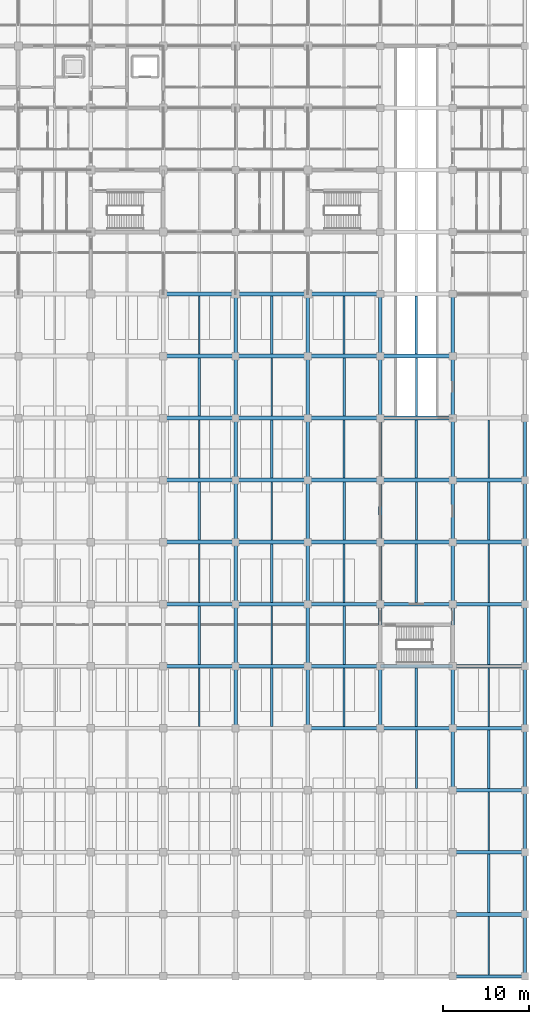
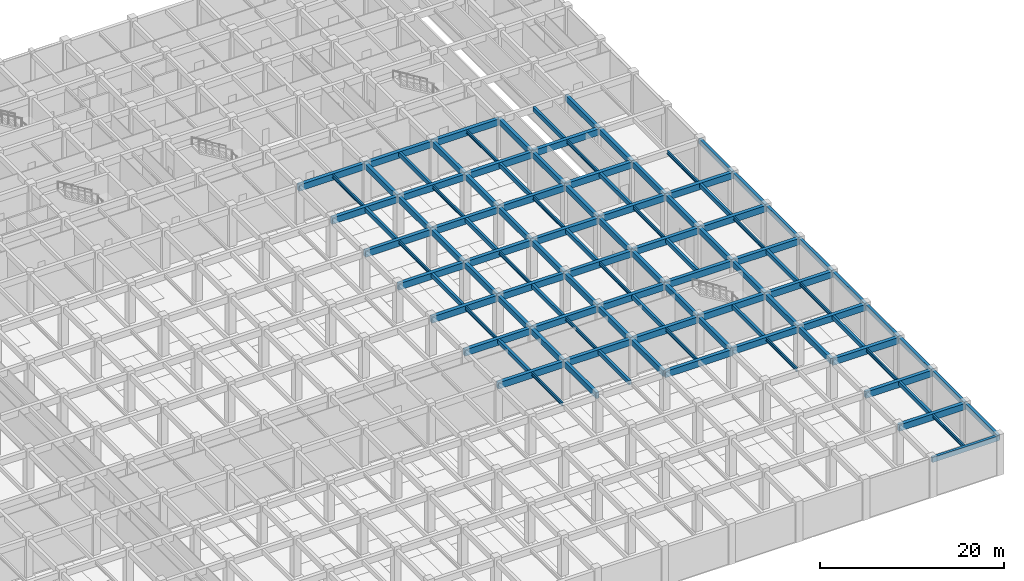
# One storey, part 10 of 48: 113 beams.
"""IFC4 building model written with IfcOpenShell, lengths in metres."""

from ifc_helpers import new_model, si_unit, direction, frame, origin, origin_2d, place, context, subcontext, project, spatial, rectangle, i_section, extrude, material, material_profile, profile_set, type_object, element, save


model = new_model("IFC4")

# Units and contexts
model_context = context("Model", 3, precision=1e-05, world=origin(), true_north=direction((0.0, 1.0)))
body_context = subcontext(model_context, "Body", "Model", "MODEL_VIEW")
ifc_project = project(units=[si_unit("LENGTHUNIT", "METRE"), si_unit("AREAUNIT", "SQUARE_METRE"), si_unit("VOLUMEUNIT", "CUBIC_METRE"), si_unit("PLANEANGLEUNIT", "RADIAN"), si_unit("MASSUNIT", "GRAM", prefix="KILO")], contexts=[model_context])

# Site, building, storey
site_placement = place(None, origin())
site = spatial("IfcSite", under=ifc_project, at=site_placement, CompositionType="ELEMENT")
building_placement = place(site_placement, origin())
building = spatial("IfcBuilding", under=site, at=building_placement, Name="Chengyuan Square Courthouse", CompositionType="ELEMENT")
storey_placement = place(building_placement, frame((0.0, 0.0, -5.39990234375)))
storey = spatial("IfcBuildingStorey", under=building, at=storey_placement, Name="B01", CompositionType="ELEMENT", Elevation=-5.39990234375)

# Beams
ifc_material_1 = material(Name="Concrete C40", Category="concrete")
ifc_material_profile_1 = material_profile(ifc_material_1, rectangle(XDim=0.449951171875, YDim=0.85009765625, at=origin_2d()), Name="RC-BM-450x850")
ifc_profile_set_1 = profile_set([ifc_material_profile_1], Name="Concrete C40")
beam_type_1 = type_object("IfcBeamType", Name="BM-01", PredefinedType="USERDEFINED", material=ifc_profile_set_1)
for number, where, z_axis, x_axis, name in (
    (1, (159.60009765625, 7.199951171875, 4.6748046875), (1.0, 0.0, 0.0), (0.0, 1.0, 0.0), "Girder BM-B01-0711"),
    (2, (159.60009765625, 14.39990234375, 4.6748046875), (1.0, 0.0, 0.0), (0.0, 1.0, 0.0), "Girder BM-B01-0731"),
    (3, (159.60009765625, 21.60009765625, 4.6748046875), (1.0, 0.0, 0.0), (0.0, 1.0, 0.0), "Girder BM-B01-0751"),
    (4, (142.800048828125, 28.800048828125, 4.554931640625), (1.0, 0.0, 0.0), (0.0, 1.0, 0.0), "Girder BM-B01-0769"),
):
    element("IfcBeam", number, at=place(storey_placement, frame(where, z_axis=z_axis, x_axis=x_axis)), inside=storey, type_object=beam_type_1, Name=name, ObjectType="GIRDER", PredefinedType="USERDEFINED", context=body_context, shape_type="SweptSolid", body=[
        extrude(rectangle(XDim=0.449951171875, YDim=0.85009765625, at=origin_2d()), origin(), (0.0, 0.0, 1.0), 8.39990234375),
    ])
beam_1_placement = place(storey_placement, frame((151.199951171875, 28.800048828125, 4.6748046875), z_axis=(1.0, 0.0, 0.0), x_axis=(0.0, 1.0, 0.0)))
element("IfcBeam", 5, at=beam_1_placement, inside=storey, type_object=beam_type_1, Name="Girder BM-B01-0770", ObjectType="GIRDER", PredefinedType="USERDEFINED", context=body_context, shape_type="SweptSolid", body=[
    extrude(rectangle(XDim=0.449951171875, YDim=0.85009765625, at=origin_2d()), origin(), (0.0, 0.0, 1.0), 8.400146484375),
])
for number, where, z_axis, x_axis, name in (
    (6, (159.60009765625, 28.800048828125, 4.6748046875), (1.0, 0.0, 0.0), (0.0, 1.0, 0.0), "Girder BM-B01-0771"),
    (7, (126.0, 36.0, 4.554931640625), (1.0, 0.0, 0.0), (0.0, 1.0, 0.0), "Girder BM-B01-0787"),
):
    element("IfcBeam", number, at=place(storey_placement, frame(where, z_axis=z_axis, x_axis=x_axis)), inside=storey, type_object=beam_type_1, Name=name, ObjectType="GIRDER", PredefinedType="USERDEFINED", context=body_context, shape_type="SweptSolid", body=[
        extrude(rectangle(XDim=0.449951171875, YDim=0.85009765625, at=origin_2d()), origin(), (0.0, 0.0, 1.0), 8.39990234375),
    ])
beam_2_placement = place(storey_placement, frame((134.39990234375, 36.0, 4.554931640625), z_axis=(1.0, 0.0, 0.0), x_axis=(0.0, 1.0, 0.0)))
element("IfcBeam", 8, at=beam_2_placement, inside=storey, type_object=beam_type_1, Name="Girder BM-B01-0788", ObjectType="GIRDER", PredefinedType="USERDEFINED", context=body_context, shape_type="SweptSolid", body=[
    extrude(rectangle(XDim=0.449951171875, YDim=0.85009765625, at=origin_2d()), origin(), (0.0, 0.0, 1.0), 8.400146484375),
])
beam_3_placement = place(storey_placement, frame((142.800048828125, 36.0, 4.554931640625), z_axis=(1.0, 0.0, 0.0), x_axis=(0.0, 1.0, 0.0)))
element("IfcBeam", 9, at=beam_3_placement, inside=storey, type_object=beam_type_1, Name="Girder BM-B01-0789", ObjectType="GIRDER", PredefinedType="USERDEFINED", context=body_context, shape_type="SweptSolid", body=[
    extrude(rectangle(XDim=0.449951171875, YDim=0.85009765625, at=origin_2d()), origin(), (0.0, 0.0, 1.0), 8.39990234375),
])
beam_4_placement = place(storey_placement, frame((151.199951171875, 36.0, 4.6748046875), z_axis=(1.0, 0.0, 0.0), x_axis=(0.0, 1.0, 0.0)))
element("IfcBeam", 10, at=beam_4_placement, inside=storey, type_object=beam_type_1, Name="Girder BM-B01-0790", ObjectType="GIRDER", PredefinedType="USERDEFINED", context=body_context, shape_type="SweptSolid", body=[
    extrude(rectangle(XDim=0.449951171875, YDim=0.85009765625, at=origin_2d()), origin(), (0.0, 0.0, 1.0), 8.400146484375),
])
for number, where, z_axis, x_axis, name in (
    (11, (159.60009765625, 36.0, 4.6748046875), (1.0, 0.0, 0.0), (0.0, 1.0, 0.0), "Girder BM-B01-0791"),
    (12, (126.0, 43.199951171875, 4.554931640625), (1.0, 0.0, 0.0), (0.0, 1.0, 0.0), "Girder BM-B01-0807"),
):
    element("IfcBeam", number, at=place(storey_placement, frame(where, z_axis=z_axis, x_axis=x_axis)), inside=storey, type_object=beam_type_1, Name=name, ObjectType="GIRDER", PredefinedType="USERDEFINED", context=body_context, shape_type="SweptSolid", body=[
        extrude(rectangle(XDim=0.449951171875, YDim=0.85009765625, at=origin_2d()), origin(), (0.0, 0.0, 1.0), 8.39990234375),
    ])
beam_5_placement = place(storey_placement, frame((134.39990234375, 43.199951171875, 4.554931640625), z_axis=(1.0, 0.0, 0.0), x_axis=(0.0, 1.0, 0.0)))
element("IfcBeam", 13, at=beam_5_placement, inside=storey, type_object=beam_type_1, Name="Girder BM-B01-0808", ObjectType="GIRDER", PredefinedType="USERDEFINED", context=body_context, shape_type="SweptSolid", body=[
    extrude(rectangle(XDim=0.449951171875, YDim=0.85009765625, at=origin_2d()), origin(), (0.0, 0.0, 1.0), 8.400146484375),
])
beam_6_placement = place(storey_placement, frame((142.800048828125, 43.199951171875, 4.554931640625), z_axis=(1.0, 0.0, 0.0), x_axis=(0.0, 1.0, 0.0)))
element("IfcBeam", 14, at=beam_6_placement, inside=storey, type_object=beam_type_1, Name="Girder BM-B01-0809", ObjectType="GIRDER", PredefinedType="USERDEFINED", context=body_context, shape_type="SweptSolid", body=[
    extrude(rectangle(XDim=0.449951171875, YDim=0.85009765625, at=origin_2d()), origin(), (0.0, 0.0, 1.0), 8.39990234375),
])
beam_7_placement = place(storey_placement, frame((151.199951171875, 43.199951171875, 4.6748046875), z_axis=(1.0, 0.0, 0.0), x_axis=(0.0, 1.0, 0.0)))
element("IfcBeam", 15, at=beam_7_placement, inside=storey, type_object=beam_type_1, Name="Girder BM-B01-0810", ObjectType="GIRDER", PredefinedType="USERDEFINED", context=body_context, shape_type="SweptSolid", body=[
    extrude(rectangle(XDim=0.449951171875, YDim=0.85009765625, at=origin_2d()), origin(), (0.0, 0.0, 1.0), 8.400146484375),
])
for number, where, z_axis, x_axis, name in (
    (16, (159.60009765625, 43.199951171875, 4.6748046875), (1.0, 0.0, 0.0), (0.0, 1.0, 0.0), "Girder BM-B01-0811"),
    (17, (126.0, 50.39990234375, 4.554931640625), (1.0, 0.0, 0.0), (0.0, 1.0, 0.0), "Girder BM-B01-0827"),
):
    element("IfcBeam", number, at=place(storey_placement, frame(where, z_axis=z_axis, x_axis=x_axis)), inside=storey, type_object=beam_type_1, Name=name, ObjectType="GIRDER", PredefinedType="USERDEFINED", context=body_context, shape_type="SweptSolid", body=[
        extrude(rectangle(XDim=0.449951171875, YDim=0.85009765625, at=origin_2d()), origin(), (0.0, 0.0, 1.0), 8.39990234375),
    ])
beam_8_placement = place(storey_placement, frame((134.39990234375, 50.39990234375, 4.554931640625), z_axis=(1.0, 0.0, 0.0), x_axis=(0.0, 1.0, 0.0)))
element("IfcBeam", 18, at=beam_8_placement, inside=storey, type_object=beam_type_1, Name="Girder BM-B01-0828", ObjectType="GIRDER", PredefinedType="USERDEFINED", context=body_context, shape_type="SweptSolid", body=[
    extrude(rectangle(XDim=0.449951171875, YDim=0.85009765625, at=origin_2d()), origin(), (0.0, 0.0, 1.0), 8.400146484375),
])
beam_9_placement = place(storey_placement, frame((142.800048828125, 50.39990234375, 4.554931640625), z_axis=(1.0, 0.0, 0.0), x_axis=(0.0, 1.0, 0.0)))
element("IfcBeam", 19, at=beam_9_placement, inside=storey, type_object=beam_type_1, Name="Girder BM-B01-0829", ObjectType="GIRDER", PredefinedType="USERDEFINED", context=body_context, shape_type="SweptSolid", body=[
    extrude(rectangle(XDim=0.449951171875, YDim=0.85009765625, at=origin_2d()), origin(), (0.0, 0.0, 1.0), 8.39990234375),
])
beam_10_placement = place(storey_placement, frame((151.199951171875, 50.39990234375, 4.6748046875), z_axis=(1.0, 0.0, 0.0), x_axis=(0.0, 1.0, 0.0)))
element("IfcBeam", 20, at=beam_10_placement, inside=storey, type_object=beam_type_1, Name="Girder BM-B01-0830", ObjectType="GIRDER", PredefinedType="USERDEFINED", context=body_context, shape_type="SweptSolid", body=[
    extrude(rectangle(XDim=0.449951171875, YDim=0.85009765625, at=origin_2d()), origin(), (0.0, 0.0, 1.0), 8.400146484375),
])
for number, where, z_axis, x_axis, name in (
    (21, (159.60009765625, 50.39990234375, 4.6748046875), (1.0, 0.0, 0.0), (0.0, 1.0, 0.0), "Girder BM-B01-0831"),
    (22, (126.0, 57.60009765625, 4.554931640625), (1.0, 0.0, 0.0), (0.0, 1.0, 0.0), "Girder BM-B01-0847"),
):
    element("IfcBeam", number, at=place(storey_placement, frame(where, z_axis=z_axis, x_axis=x_axis)), inside=storey, type_object=beam_type_1, Name=name, ObjectType="GIRDER", PredefinedType="USERDEFINED", context=body_context, shape_type="SweptSolid", body=[
        extrude(rectangle(XDim=0.449951171875, YDim=0.85009765625, at=origin_2d()), origin(), (0.0, 0.0, 1.0), 8.39990234375),
    ])
beam_11_placement = place(storey_placement, frame((134.39990234375, 57.60009765625, 4.554931640625), z_axis=(1.0, 0.0, 0.0), x_axis=(0.0, 1.0, 0.0)))
element("IfcBeam", 23, at=beam_11_placement, inside=storey, type_object=beam_type_1, Name="Girder BM-B01-0848", ObjectType="GIRDER", PredefinedType="USERDEFINED", context=body_context, shape_type="SweptSolid", body=[
    extrude(rectangle(XDim=0.449951171875, YDim=0.85009765625, at=origin_2d()), origin(), (0.0, 0.0, 1.0), 8.400146484375),
])
beam_12_placement = place(storey_placement, frame((142.800048828125, 57.60009765625, 4.554931640625), z_axis=(1.0, 0.0, 0.0), x_axis=(0.0, 1.0, 0.0)))
element("IfcBeam", 24, at=beam_12_placement, inside=storey, type_object=beam_type_1, Name="Girder BM-B01-0849", ObjectType="GIRDER", PredefinedType="USERDEFINED", context=body_context, shape_type="SweptSolid", body=[
    extrude(rectangle(XDim=0.449951171875, YDim=0.85009765625, at=origin_2d()), origin(), (0.0, 0.0, 1.0), 8.39990234375),
])
beam_13_placement = place(storey_placement, frame((151.199951171875, 57.60009765625, 4.6748046875), z_axis=(1.0, 0.0, 0.0), x_axis=(0.0, 1.0, 0.0)))
element("IfcBeam", 25, at=beam_13_placement, inside=storey, type_object=beam_type_1, Name="Girder BM-B01-0850", ObjectType="GIRDER", PredefinedType="USERDEFINED", context=body_context, shape_type="SweptSolid", body=[
    extrude(rectangle(XDim=0.449951171875, YDim=0.85009765625, at=origin_2d()), origin(), (0.0, 0.0, 1.0), 8.400146484375),
])
for number, where, z_axis, x_axis, name in (
    (26, (159.60009765625, 57.60009765625, 4.6748046875), (1.0, 0.0, 0.0), (0.0, 1.0, 0.0), "Girder BM-B01-0851"),
    (27, (126.0, 64.800048828125, 4.554931640625), (1.0, 0.0, 0.0), (0.0, 1.0, 0.0), "Girder BM-B01-0866"),
):
    element("IfcBeam", number, at=place(storey_placement, frame(where, z_axis=z_axis, x_axis=x_axis)), inside=storey, type_object=beam_type_1, Name=name, ObjectType="GIRDER", PredefinedType="USERDEFINED", context=body_context, shape_type="SweptSolid", body=[
        extrude(rectangle(XDim=0.449951171875, YDim=0.85009765625, at=origin_2d()), origin(), (0.0, 0.0, 1.0), 8.39990234375),
    ])
beam_14_placement = place(storey_placement, frame((134.39990234375, 64.800048828125, 4.554931640625), z_axis=(1.0, 0.0, 0.0), x_axis=(0.0, 1.0, 0.0)))
element("IfcBeam", 28, at=beam_14_placement, inside=storey, type_object=beam_type_1, Name="Girder BM-B01-0867", ObjectType="GIRDER", PredefinedType="USERDEFINED", context=body_context, shape_type="SweptSolid", body=[
    extrude(rectangle(XDim=0.449951171875, YDim=0.85009765625, at=origin_2d()), origin(), (0.0, 0.0, 1.0), 8.400146484375),
])
beam_15_placement = place(storey_placement, frame((142.800048828125, 64.800048828125, 4.554931640625), z_axis=(1.0, 0.0, 0.0), x_axis=(0.0, 1.0, 0.0)))
element("IfcBeam", 29, at=beam_15_placement, inside=storey, type_object=beam_type_1, Name="Girder BM-B01-0868", ObjectType="GIRDER", PredefinedType="USERDEFINED", context=body_context, shape_type="SweptSolid", body=[
    extrude(rectangle(XDim=0.449951171875, YDim=0.85009765625, at=origin_2d()), origin(), (0.0, 0.0, 1.0), 8.39990234375),
])
beam_16_placement = place(storey_placement, frame((151.199951171875, 64.800048828125, 4.6748046875), z_axis=(1.0, 0.0, 0.0), x_axis=(0.0, 1.0, 0.0)))
element("IfcBeam", 30, at=beam_16_placement, inside=storey, type_object=beam_type_1, Name="Girder BM-B01-0869", ObjectType="GIRDER", PredefinedType="USERDEFINED", context=body_context, shape_type="SweptSolid", body=[
    extrude(rectangle(XDim=0.449951171875, YDim=0.85009765625, at=origin_2d()), origin(), (0.0, 0.0, 1.0), 8.400146484375),
])
beam_17_placement = place(storey_placement, frame((126.0, 72.0, 4.554931640625), z_axis=(1.0, 0.0, 0.0), x_axis=(0.0, 1.0, 0.0)))
element("IfcBeam", 31, at=beam_17_placement, inside=storey, type_object=beam_type_1, Name="Girder BM-B01-0885", ObjectType="GIRDER", PredefinedType="USERDEFINED", context=body_context, shape_type="SweptSolid", body=[
    extrude(rectangle(XDim=0.449951171875, YDim=0.85009765625, at=origin_2d()), origin(), (0.0, 0.0, 1.0), 8.39990234375),
])
beam_18_placement = place(storey_placement, frame((134.39990234375, 72.0, 4.554931640625), z_axis=(1.0, 0.0, 0.0), x_axis=(0.0, 1.0, 0.0)))
element("IfcBeam", 32, at=beam_18_placement, inside=storey, type_object=beam_type_1, Name="Girder BM-B01-0886", ObjectType="GIRDER", PredefinedType="USERDEFINED", context=body_context, shape_type="SweptSolid", body=[
    extrude(rectangle(XDim=0.449951171875, YDim=0.85009765625, at=origin_2d()), origin(), (0.0, 0.0, 1.0), 8.400146484375),
])
beam_19_placement = place(storey_placement, frame((142.800048828125, 72.0, 4.554931640625), z_axis=(1.0, 0.0, 0.0), x_axis=(0.0, 1.0, 0.0)))
element("IfcBeam", 33, at=beam_19_placement, inside=storey, type_object=beam_type_1, Name="Girder BM-B01-0887", ObjectType="GIRDER", PredefinedType="USERDEFINED", context=body_context, shape_type="SweptSolid", body=[
    extrude(rectangle(XDim=0.449951171875, YDim=0.85009765625, at=origin_2d()), origin(), (0.0, 0.0, 1.0), 8.39990234375),
])
beam_20_placement = place(storey_placement, frame((151.199951171875, 72.0, 4.6748046875), z_axis=(1.0, 0.0, 0.0), x_axis=(0.0, 1.0, 0.0)))
element("IfcBeam", 34, at=beam_20_placement, inside=storey, type_object=beam_type_1, Name="Girder BM-B01-0888", ObjectType="GIRDER", PredefinedType="USERDEFINED", context=body_context, shape_type="SweptSolid", body=[
    extrude(rectangle(XDim=0.449951171875, YDim=0.85009765625, at=origin_2d()), origin(), (0.0, 0.0, 1.0), 8.400146484375),
])
beam_21_placement = place(storey_placement, frame((126.0, 79.199951171875, 4.554931640625), z_axis=(1.0, 0.0, 0.0), x_axis=(0.0, 1.0, 0.0)))
element("IfcBeam", 35, at=beam_21_placement, inside=storey, type_object=beam_type_1, Name="Girder BM-B01-0904", ObjectType="GIRDER", PredefinedType="USERDEFINED", context=body_context, shape_type="SweptSolid", body=[
    extrude(rectangle(XDim=0.449951171875, YDim=0.85009765625, at=origin_2d()), origin(), (0.0, 0.0, 1.0), 8.39990234375),
])
beam_22_placement = place(storey_placement, frame((134.39990234375, 79.199951171875, 4.554931640625), z_axis=(1.0, 0.0, 0.0), x_axis=(0.0, 1.0, 0.0)))
element("IfcBeam", 36, at=beam_22_placement, inside=storey, type_object=beam_type_1, Name="Girder BM-B01-0905", ObjectType="GIRDER", PredefinedType="USERDEFINED", context=body_context, shape_type="SweptSolid", body=[
    extrude(rectangle(XDim=0.449951171875, YDim=0.85009765625, at=origin_2d()), origin(), (0.0, 0.0, 1.0), 8.400146484375),
])
beam_23_placement = place(storey_placement, frame((142.800048828125, 79.199951171875, 4.554931640625), z_axis=(1.0, 0.0, 0.0), x_axis=(0.0, 1.0, 0.0)))
element("IfcBeam", 37, at=beam_23_placement, inside=storey, type_object=beam_type_1, Name="Girder BM-B01-0906", ObjectType="GIRDER", PredefinedType="USERDEFINED", context=body_context, shape_type="SweptSolid", body=[
    extrude(rectangle(XDim=0.449951171875, YDim=0.85009765625, at=origin_2d()), origin(), (0.0, 0.0, 1.0), 8.39990234375),
])
ifc_material_profile_2 = material_profile(ifc_material_1, rectangle(XDim=0.39990234375, YDim=0.75, at=origin_2d()), Name="RC-BM-400x750")
ifc_profile_set_2 = profile_set([ifc_material_profile_2], Name="Concrete C40")
beam_type_2 = type_object("IfcBeamType", Name="BM-02", PredefinedType="USERDEFINED", material=ifc_profile_set_2)
for number, where, z_axis, x_axis, name in (
    (38, (134.39990234375, 28.800048828125, 4.60498046875), (0.0, 1.0, 0.0), (-1.0, 0.0, 0.0), "Girder BM-B01-1266"),
    (39, (134.39990234375, 36.0, 4.60498046875), (0.0, 1.0, 0.0), (-1.0, 0.0, 0.0), "Girder BM-B01-1267"),
    (40, (134.39990234375, 43.199951171875, 4.60498046875), (0.0, 1.0, 0.0), (-1.0, 0.0, 0.0), "Girder BM-B01-1268"),
):
    element("IfcBeam", number, at=place(storey_placement, frame(where, z_axis=z_axis, x_axis=x_axis)), inside=storey, type_object=beam_type_2, Name=name, ObjectType="GIRDER", PredefinedType="USERDEFINED", context=body_context, shape_type="SweptSolid", body=[
        extrude(rectangle(XDim=0.39990234375, YDim=0.75, at=origin_2d()), origin(), (0.0, 0.0, 1.0), 7.199951171875),
    ])
beam_24_placement = place(storey_placement, frame((134.39990234375, 50.39990234375, 4.60498046875), z_axis=(0.0, 1.0, 0.0), x_axis=(-1.0, 0.0, 0.0)))
element("IfcBeam", 41, at=beam_24_placement, inside=storey, type_object=beam_type_2, Name="Girder BM-B01-1269", ObjectType="GIRDER", PredefinedType="USERDEFINED", context=body_context, shape_type="SweptSolid", body=[
    extrude(rectangle(XDim=0.39990234375, YDim=0.75, at=origin_2d()), origin(), (0.0, 0.0, 1.0), 7.2001953125),
])
for number, where, z_axis, x_axis, name in (
    (42, (134.39990234375, 57.60009765625, 4.60498046875), (0.0, 1.0, 0.0), (-1.0, 0.0, 0.0), "Girder BM-B01-1270"),
    (43, (134.39990234375, 64.800048828125, 4.60498046875), (0.0, 1.0, 0.0), (-1.0, 0.0, 0.0), "Girder BM-B01-1271"),
    (44, (134.39990234375, 72.0, 4.60498046875), (0.0, 1.0, 0.0), (-1.0, 0.0, 0.0), "Girder BM-B01-1272"),
    (45, (142.800048828125, 28.800048828125, 4.60498046875), (0.0, 1.0, 0.0), (-1.0, 0.0, 0.0), "Girder BM-B01-1282"),
    (46, (142.800048828125, 36.0, 4.60498046875), (0.0, 1.0, 0.0), (-1.0, 0.0, 0.0), "Girder BM-B01-1283"),
    (47, (142.800048828125, 43.199951171875, 4.60498046875), (0.0, 1.0, 0.0), (-1.0, 0.0, 0.0), "Girder BM-B01-1284"),
):
    element("IfcBeam", number, at=place(storey_placement, frame(where, z_axis=z_axis, x_axis=x_axis)), inside=storey, type_object=beam_type_2, Name=name, ObjectType="GIRDER", PredefinedType="USERDEFINED", context=body_context, shape_type="SweptSolid", body=[
        extrude(rectangle(XDim=0.39990234375, YDim=0.75, at=origin_2d()), origin(), (0.0, 0.0, 1.0), 7.199951171875),
    ])
beam_25_placement = place(storey_placement, frame((142.800048828125, 50.39990234375, 4.60498046875), z_axis=(0.0, 1.0, 0.0), x_axis=(-1.0, 0.0, 0.0)))
element("IfcBeam", 48, at=beam_25_placement, inside=storey, type_object=beam_type_2, Name="Girder BM-B01-1285", ObjectType="GIRDER", PredefinedType="USERDEFINED", context=body_context, shape_type="SweptSolid", body=[
    extrude(rectangle(XDim=0.39990234375, YDim=0.75, at=origin_2d()), origin(), (0.0, 0.0, 1.0), 7.2001953125),
])
for number, where, z_axis, x_axis, name in (
    (49, (142.800048828125, 57.60009765625, 4.60498046875), (0.0, 1.0, 0.0), (-1.0, 0.0, 0.0), "Girder BM-B01-1286"),
    (50, (142.800048828125, 64.800048828125, 4.60498046875), (0.0, 1.0, 0.0), (-1.0, 0.0, 0.0), "Girder BM-B01-1287"),
    (51, (142.800048828125, 72.0, 4.60498046875), (0.0, 1.0, 0.0), (-1.0, 0.0, 0.0), "Girder BM-B01-1288"),
    (52, (151.199951171875, 28.800048828125, 4.60498046875), (0.0, 1.0, 0.0), (-1.0, 0.0, 0.0), "Girder BM-B01-1298"),
    (53, (151.199951171875, 36.0, 4.60498046875), (0.0, 1.0, 0.0), (-1.0, 0.0, 0.0), "Girder BM-B01-1299"),
    (54, (151.199951171875, 43.199951171875, 4.60498046875), (0.0, 1.0, 0.0), (-1.0, 0.0, 0.0), "Girder BM-B01-1300"),
):
    element("IfcBeam", number, at=place(storey_placement, frame(where, z_axis=z_axis, x_axis=x_axis)), inside=storey, type_object=beam_type_2, Name=name, ObjectType="GIRDER", PredefinedType="USERDEFINED", context=body_context, shape_type="SweptSolid", body=[
        extrude(rectangle(XDim=0.39990234375, YDim=0.75, at=origin_2d()), origin(), (0.0, 0.0, 1.0), 7.199951171875),
    ])
beam_26_placement = place(storey_placement, frame((151.199951171875, 50.39990234375, 4.60498046875), z_axis=(0.0, 1.0, 0.0), x_axis=(-1.0, 0.0, 0.0)))
element("IfcBeam", 55, at=beam_26_placement, inside=storey, type_object=beam_type_2, Name="Girder BM-B01-1301", ObjectType="GIRDER", PredefinedType="USERDEFINED", context=body_context, shape_type="SweptSolid", body=[
    extrude(rectangle(XDim=0.39990234375, YDim=0.75, at=origin_2d()), origin(), (0.0, 0.0, 1.0), 7.2001953125),
])
for number, where, z_axis, x_axis, name in (
    (56, (151.199951171875, 57.60009765625, 4.60498046875), (0.0, 1.0, 0.0), (-1.0, 0.0, 0.0), "Girder BM-B01-1302"),
    (57, (151.199951171875, 64.800048828125, 4.60498046875), (0.0, 1.0, 0.0), (-1.0, 0.0, 0.0), "Girder BM-B01-1303"),
    (58, (151.199951171875, 72.0, 4.60498046875), (0.0, 1.0, 0.0), (-1.0, 0.0, 0.0), "Girder BM-B01-1304"),
    (59, (159.60009765625, 21.60009765625, 4.724853515625), (0.0, 1.0, 0.0), (-1.0, 0.0, 0.0), "Girder BM-B01-1313"),
    (60, (159.60009765625, 28.800048828125, 4.724853515625), (0.0, 1.0, 0.0), (-1.0, 0.0, 0.0), "Girder BM-B01-1314"),
    (61, (159.60009765625, 36.0, 4.724853515625), (0.0, 1.0, 0.0), (-1.0, 0.0, 0.0), "Girder BM-B01-1315"),
    (62, (159.60009765625, 43.199951171875, 4.724853515625), (0.0, 1.0, 0.0), (-1.0, 0.0, 0.0), "Girder BM-B01-1316"),
):
    element("IfcBeam", number, at=place(storey_placement, frame(where, z_axis=z_axis, x_axis=x_axis)), inside=storey, type_object=beam_type_2, Name=name, ObjectType="GIRDER", PredefinedType="USERDEFINED", context=body_context, shape_type="SweptSolid", body=[
        extrude(rectangle(XDim=0.39990234375, YDim=0.75, at=origin_2d()), origin(), (0.0, 0.0, 1.0), 7.199951171875),
    ])
beam_27_placement = place(storey_placement, frame((159.60009765625, 50.39990234375, 4.724853515625), z_axis=(0.0, 1.0, 0.0), x_axis=(-1.0, 0.0, 0.0)))
element("IfcBeam", 63, at=beam_27_placement, inside=storey, type_object=beam_type_2, Name="Girder BM-B01-1317", ObjectType="GIRDER", PredefinedType="USERDEFINED", context=body_context, shape_type="SweptSolid", body=[
    extrude(rectangle(XDim=0.39990234375, YDim=0.75, at=origin_2d()), origin(), (0.0, 0.0, 1.0), 7.2001953125),
])
for number, where, z_axis, x_axis, name in (
    (64, (159.60009765625, 57.60009765625, 4.724853515625), (0.0, 1.0, 0.0), (-1.0, 0.0, 0.0), "Girder BM-B01-1318"),
    (65, (159.60009765625, 64.800048828125, 4.724853515625), (0.0, 1.0, 0.0), (-1.0, 0.0, 0.0), "Girder BM-B01-1319"),
    (66, (159.60009765625, 72.0, 4.724853515625), (0.0, 1.0, 0.0), (-1.0, 0.0, 0.0), "Girder BM-B01-1320"),
):
    element("IfcBeam", number, at=place(storey_placement, frame(where, z_axis=z_axis, x_axis=x_axis)), inside=storey, type_object=beam_type_2, Name=name, ObjectType="GIRDER", PredefinedType="USERDEFINED", context=body_context, shape_type="SweptSolid", body=[
        extrude(rectangle(XDim=0.39990234375, YDim=0.75, at=origin_2d()), origin(), (0.0, 0.0, 1.0), 7.199951171875),
    ])
ifc_material_profile_3 = material_profile(ifc_material_1, rectangle(XDim=0.35009765625, YDim=0.64990234375, at=origin_2d()), Name="RC-BM-350x650")
ifc_profile_set_3 = profile_set([ifc_material_profile_3], Name="Concrete C40")
beam_type_3 = type_object("IfcBeamType", Name="BM-03", PredefinedType="SPANDREL", material=ifc_profile_set_3)
beam_28_placement = place(storey_placement, frame((159.60009765625, 0.0, 4.77490234375), z_axis=(1.0, 0.0, 0.0), x_axis=(0.0, 1.0, 0.0)))
element("IfcBeam", 67, at=beam_28_placement, inside=storey, type_object=beam_type_3, Name="Girder BM-B01-0691", PredefinedType="SPANDREL", context=body_context, shape_type="SweptSolid", body=[
    extrude(rectangle(XDim=0.35009765625, YDim=0.64990234375, at=origin_2d()), origin(), (0.0, 0.0, 1.0), 8.39990234375),
])
for number, where, z_axis, x_axis, name in (
    (68, (168.0, 0.0, 4.77490234375), (0.0, 1.0, 0.0), (-1.0, 0.0, 0.0), "Girder BM-B01-1326"),
    (69, (168.0, 7.199951171875, 4.77490234375), (0.0, 1.0, 0.0), (-1.0, 0.0, 0.0), "Girder BM-B01-1327"),
):
    element("IfcBeam", number, at=place(storey_placement, frame(where, z_axis=z_axis, x_axis=x_axis)), inside=storey, type_object=beam_type_3, Name=name, PredefinedType="SPANDREL", context=body_context, shape_type="SweptSolid", body=[
        extrude(rectangle(XDim=0.35009765625, YDim=0.64990234375, at=origin_2d()), origin(), (0.0, 0.0, 1.0), 7.199951171875),
    ])
beam_29_placement = place(storey_placement, frame((168.0, 14.39990234375, 4.77490234375), z_axis=(0.0, 1.0, 0.0), x_axis=(-1.0, 0.0, 0.0)))
element("IfcBeam", 70, at=beam_29_placement, inside=storey, type_object=beam_type_3, Name="Girder BM-B01-1328", PredefinedType="SPANDREL", context=body_context, shape_type="SweptSolid", body=[
    extrude(rectangle(XDim=0.35009765625, YDim=0.64990234375, at=origin_2d()), origin(), (0.0, 0.0, 1.0), 7.2001953125),
])
for number, where, z_axis, x_axis, name in (
    (71, (168.0, 21.60009765625, 4.77490234375), (0.0, 1.0, 0.0), (-1.0, 0.0, 0.0), "Girder BM-B01-1329"),
    (72, (168.0, 28.800048828125, 4.77490234375), (0.0, 1.0, 0.0), (-1.0, 0.0, 0.0), "Girder BM-B01-1330"),
    (73, (168.0, 36.0, 4.77490234375), (0.0, 1.0, 0.0), (-1.0, 0.0, 0.0), "Girder BM-B01-1331"),
    (74, (168.0, 43.199951171875, 4.77490234375), (0.0, 1.0, 0.0), (-1.0, 0.0, 0.0), "Girder BM-B01-1332"),
):
    element("IfcBeam", number, at=place(storey_placement, frame(where, z_axis=z_axis, x_axis=x_axis)), inside=storey, type_object=beam_type_3, Name=name, PredefinedType="SPANDREL", context=body_context, shape_type="SweptSolid", body=[
        extrude(rectangle(XDim=0.35009765625, YDim=0.64990234375, at=origin_2d()), origin(), (0.0, 0.0, 1.0), 7.199951171875),
    ])
beam_30_placement = place(storey_placement, frame((168.0, 50.39990234375, 4.77490234375), z_axis=(0.0, 1.0, 0.0), x_axis=(-1.0, 0.0, 0.0)))
element("IfcBeam", 75, at=beam_30_placement, inside=storey, type_object=beam_type_3, Name="Girder BM-B01-1333", PredefinedType="SPANDREL", context=body_context, shape_type="SweptSolid", body=[
    extrude(rectangle(XDim=0.35009765625, YDim=0.64990234375, at=origin_2d()), origin(), (0.0, 0.0, 1.0), 7.2001953125),
])
beam_31_placement = place(storey_placement, frame((168.0, 57.60009765625, 4.77490234375), z_axis=(0.0, 1.0, 0.0), x_axis=(-1.0, 0.0, 0.0)))
element("IfcBeam", 76, at=beam_31_placement, inside=storey, type_object=beam_type_3, Name="Girder BM-B01-1334", PredefinedType="SPANDREL", context=body_context, shape_type="SweptSolid", body=[
    extrude(rectangle(XDim=0.35009765625, YDim=0.64990234375, at=origin_2d()), origin(), (0.0, 0.0, 1.0), 7.199951171875),
])
ifc_material_profile_4 = material_profile(ifc_material_1, rectangle(XDim=0.300048828125, YDim=0.550048828125, at=origin_2d()), Name="RC-BM-300x550")
ifc_profile_set_4 = profile_set([ifc_material_profile_4], Name="Concrete C40")
beam_type_4 = type_object("IfcBeamType", Name="BM-04", PredefinedType="BEAM", material=ifc_profile_set_4)
for number, where, z_axis, x_axis, name in (
    (77, (130.199951171875, 36.22509765625, 4.704833984375), (0.0, 1.0, 0.0), (-1.0, 0.0, 0.0), "Secondary Floor Beam SBM-B01-1568"),
    (78, (130.199951171875, 50.625, 4.704833984375), (0.0, 1.0, 0.0), (-1.0, 0.0, 0.0), "Secondary Floor Beam SBM-B01-1570"),
    (79, (130.199951171875, 65.02490234375, 4.704833984375), (0.0, 1.0, 0.0), (-1.0, 0.0, 0.0), "Secondary Floor Beam SBM-B01-1572"),
    (80, (138.60009765625, 29.02490234375, 4.704833984375), (0.0, 1.0, 0.0), (-1.0, 0.0, 0.0), "Secondary Floor Beam SBM-B01-1583"),
    (81, (138.60009765625, 43.425048828125, 4.704833984375), (0.0, 1.0, 0.0), (-1.0, 0.0, 0.0), "Secondary Floor Beam SBM-B01-1585"),
    (82, (138.60009765625, 57.824951171875, 4.704833984375), (0.0, 1.0, 0.0), (-1.0, 0.0, 0.0), "Secondary Floor Beam SBM-B01-1587"),
    (83, (138.60009765625, 72.22509765625, 4.704833984375), (0.0, 1.0, 0.0), (-1.0, 0.0, 0.0), "Secondary Floor Beam SBM-B01-1589"),
    (84, (147.0, 36.22509765625, 4.704833984375), (0.0, 1.0, 0.0), (-1.0, 0.0, 0.0), "Secondary Floor Beam SBM-B01-1600"),
    (85, (147.0, 50.625, 4.704833984375), (0.0, 1.0, 0.0), (-1.0, 0.0, 0.0), "Secondary Floor Beam SBM-B01-1602"),
    (86, (147.0, 65.02490234375, 4.704833984375), (0.0, 1.0, 0.0), (-1.0, 0.0, 0.0), "Secondary Floor Beam SBM-B01-1604"),
    (87, (155.39990234375, 29.02490234375, 4.824951171875), (0.0, 1.0, 0.0), (-1.0, 0.0, 0.0), "Secondary Floor Beam SBM-B01-1614"),
    (88, (155.39990234375, 43.425048828125, 4.824951171875), (0.0, 1.0, 0.0), (-1.0, 0.0, 0.0), "Secondary Floor Beam SBM-B01-1615"),
    (89, (155.39990234375, 57.824951171875, 4.824951171875), (0.0, 1.0, 0.0), (-1.0, 0.0, 0.0), "Secondary Floor Beam SBM-B01-1617"),
    (90, (155.39990234375, 72.22509765625, 4.824951171875), (0.0, 1.0, 0.0), (-1.0, 0.0, 0.0), "Secondary Floor Beam SBM-B01-1619"),
    (91, (163.800048828125, 7.425048828125, 4.824951171875), (0.0, 1.0, 0.0), (-1.0, 0.0, 0.0), "Secondary Floor Beam SBM-B01-1626"),
    (92, (163.800048828125, 21.824951171875, 4.824951171875), (0.0, 1.0, 0.0), (-1.0, 0.0, 0.0), "Secondary Floor Beam SBM-B01-1628"),
    (93, (163.800048828125, 36.22509765625, 4.824951171875), (0.0, 1.0, 0.0), (-1.0, 0.0, 0.0), "Secondary Floor Beam SBM-B01-1630"),
    (94, (163.800048828125, 50.625, 4.824951171875), (0.0, 1.0, 0.0), (-1.0, 0.0, 0.0), "Secondary Floor Beam SBM-B01-1632"),
):
    element("IfcBeam", number, at=place(storey_placement, frame(where, z_axis=z_axis, x_axis=x_axis)), inside=storey, type_object=beam_type_4, Name=name, PredefinedType="BEAM", context=body_context, shape_type="SweptSolid", body=[
        extrude(rectangle(XDim=0.300048828125, YDim=0.550048828125, at=origin_2d()), origin(), (0.0, 0.0, 1.0), 6.75),
    ])
ifc_material_2 = material(Name="Steel Q355B", Category="steel")
ifc_material_profile_5 = material_profile(ifc_material_2, i_section(OverallWidth=0.199951171875, OverallDepth=0.449951171875, WebThickness=0.009033203125, FlangeThickness=0.013916015625, at=origin_2d()), Name="HN 450x200x9x14")
ifc_profile_set_5 = profile_set([ifc_material_profile_5], Name="Steel Q355B")
beam_type_5 = type_object("IfcBeamType", Name="BM-06", PredefinedType="BEAM", material=ifc_profile_set_5)
for number, where, z_axis, x_axis, name in (
    (95, (130.199951171875, 29.02490234375, 4.7548828125), (0.0, 1.0, 0.0), (-1.0, 0.0, 0.0), "Secondary Floor Beam SBM-B01-1567"),
    (96, (130.199951171875, 43.425048828125, 4.7548828125), (0.0, 1.0, 0.0), (-1.0, 0.0, 0.0), "Secondary Floor Beam SBM-B01-1569"),
    (97, (130.199951171875, 57.824951171875, 4.7548828125), (0.0, 1.0, 0.0), (-1.0, 0.0, 0.0), "Secondary Floor Beam SBM-B01-1571"),
    (98, (130.199951171875, 72.22509765625, 4.7548828125), (0.0, 1.0, 0.0), (-1.0, 0.0, 0.0), "Secondary Floor Beam SBM-B01-1573"),
    (99, (138.60009765625, 36.22509765625, 4.7548828125), (0.0, 1.0, 0.0), (-1.0, 0.0, 0.0), "Secondary Floor Beam SBM-B01-1584"),
    (100, (138.60009765625, 50.625, 4.7548828125), (0.0, 1.0, 0.0), (-1.0, 0.0, 0.0), "Secondary Floor Beam SBM-B01-1586"),
    (101, (138.60009765625, 65.02490234375, 4.7548828125), (0.0, 1.0, 0.0), (-1.0, 0.0, 0.0), "Secondary Floor Beam SBM-B01-1588"),
    (102, (147.0, 29.02490234375, 4.7548828125), (0.0, 1.0, 0.0), (-1.0, 0.0, 0.0), "Secondary Floor Beam SBM-B01-1599"),
    (103, (147.0, 43.425048828125, 4.7548828125), (0.0, 1.0, 0.0), (-1.0, 0.0, 0.0), "Secondary Floor Beam SBM-B01-1601"),
    (104, (147.0, 57.824951171875, 4.7548828125), (0.0, 1.0, 0.0), (-1.0, 0.0, 0.0), "Secondary Floor Beam SBM-B01-1603"),
    (105, (147.0, 72.22509765625, 4.7548828125), (0.0, 1.0, 0.0), (-1.0, 0.0, 0.0), "Secondary Floor Beam SBM-B01-1605"),
    (106, (155.39990234375, 21.824951171875, 4.875), (0.0, 1.0, 0.0), (-1.0, 0.0, 0.0), "Secondary Floor Beam SBM-B01-1613"),
    (107, (155.39990234375, 50.625, 4.875), (0.0, 1.0, 0.0), (-1.0, 0.0, 0.0), "Secondary Floor Beam SBM-B01-1616"),
    (108, (155.39990234375, 65.02490234375, 4.875), (0.0, 1.0, 0.0), (-1.0, 0.0, 0.0), "Secondary Floor Beam SBM-B01-1618"),
):
    element("IfcBeam", number, at=place(storey_placement, frame(where, z_axis=z_axis, x_axis=x_axis)), inside=storey, type_object=beam_type_5, Name=name, PredefinedType="BEAM", context=body_context, shape_type="SweptSolid", body=[
        extrude(i_section(OverallWidth=0.199951171875, OverallDepth=0.449951171875, WebThickness=0.009033203125, FlangeThickness=0.013916015625, at=origin_2d()), origin(), (0.0, 0.0, 1.0), 6.75),
    ])
beam_32_placement = place(storey_placement, frame((163.800048828125, 0.175048828125, 4.875), z_axis=(0.0, 1.0, 0.0), x_axis=(-1.0, 0.0, 0.0)))
element("IfcBeam", 109, at=beam_32_placement, inside=storey, type_object=beam_type_5, Name="Secondary Floor Beam SBM-B01-1625", PredefinedType="BEAM", context=body_context, shape_type="SweptSolid", body=[
    extrude(i_section(OverallWidth=0.199951171875, OverallDepth=0.449951171875, WebThickness=0.009033203125, FlangeThickness=0.013916015625, at=origin_2d()), origin(), (0.0, 0.0, 1.0), 6.800048828125),
])
for number, where, z_axis, x_axis, name in (
    (110, (163.800048828125, 14.625, 4.875), (0.0, 1.0, 0.0), (-1.0, 0.0, 0.0), "Secondary Floor Beam SBM-B01-1627"),
    (111, (163.800048828125, 29.02490234375, 4.875), (0.0, 1.0, 0.0), (-1.0, 0.0, 0.0), "Secondary Floor Beam SBM-B01-1629"),
    (112, (163.800048828125, 43.425048828125, 4.875), (0.0, 1.0, 0.0), (-1.0, 0.0, 0.0), "Secondary Floor Beam SBM-B01-1631"),
    (113, (163.800048828125, 57.824951171875, 4.875), (0.0, 1.0, 0.0), (-1.0, 0.0, 0.0), "Secondary Floor Beam SBM-B01-1633"),
):
    element("IfcBeam", number, at=place(storey_placement, frame(where, z_axis=z_axis, x_axis=x_axis)), inside=storey, type_object=beam_type_5, Name=name, PredefinedType="BEAM", context=body_context, shape_type="SweptSolid", body=[
        extrude(i_section(OverallWidth=0.199951171875, OverallDepth=0.449951171875, WebThickness=0.009033203125, FlangeThickness=0.013916015625, at=origin_2d()), origin(), (0.0, 0.0, 1.0), 6.75),
    ])

save(model, "model.ifc")
